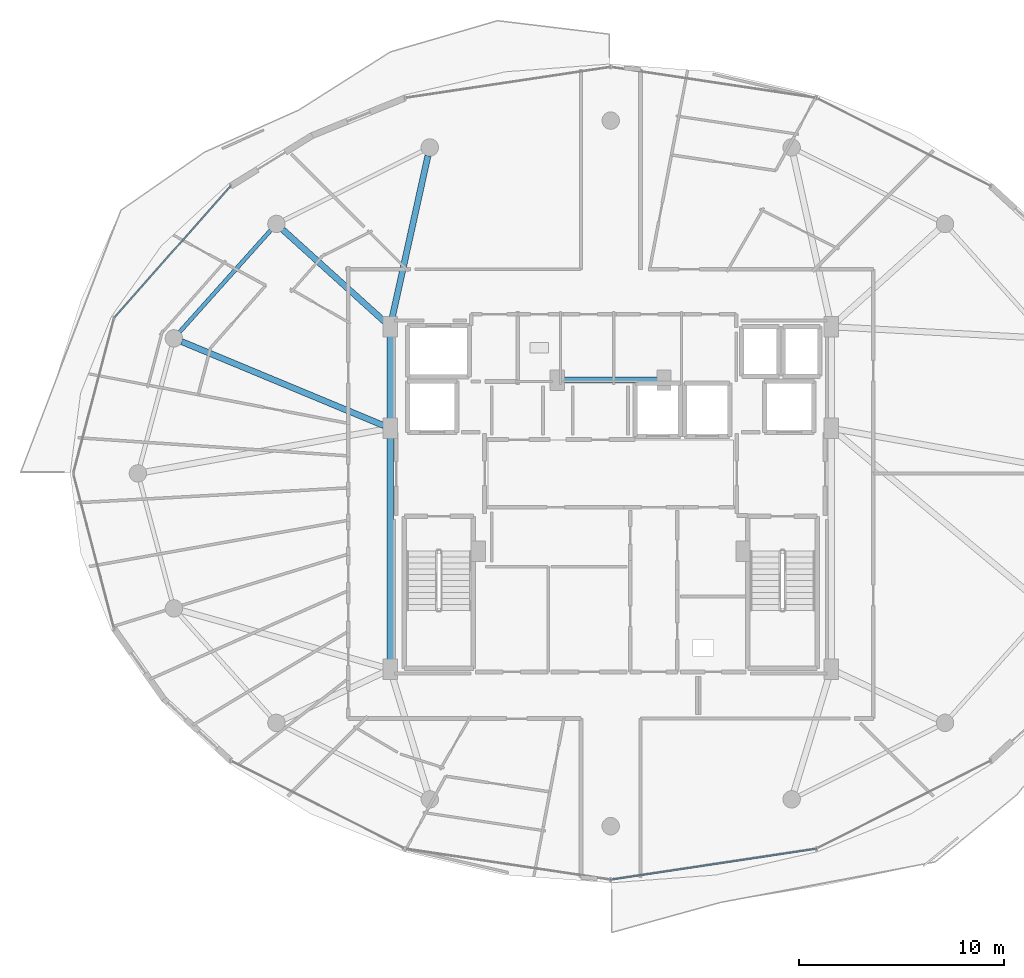
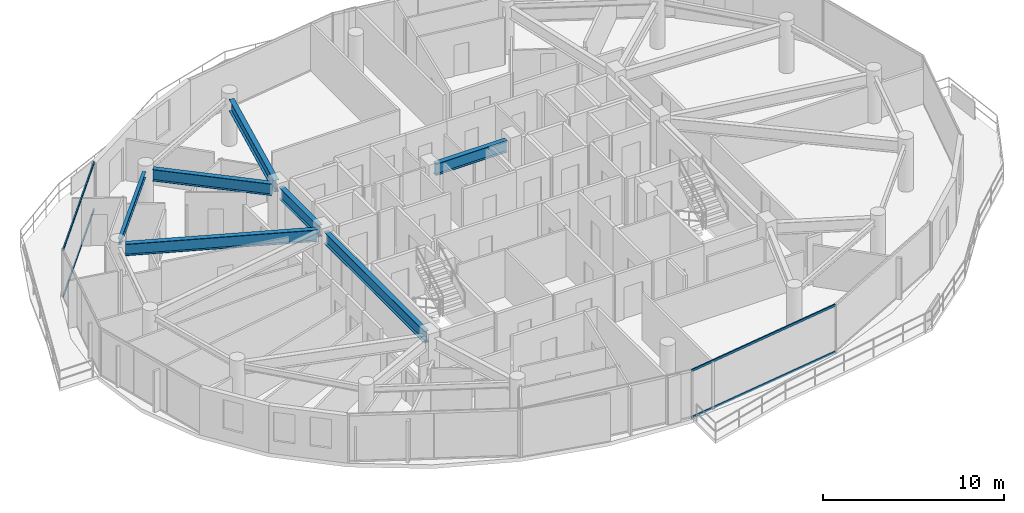
# One storey, part 7 of 25: 7 beams, 4 members, 2 elements without a shape of their own.
"""IFC4 building model written with IfcOpenShell, lengths in metres."""

from ifc_helpers import new_model, si_unit, direction, frame, origin, origin_2d, place, context, subcontext, project, spatial, hollow_rectangle, i_section, extrude, material, material_profile, profile_set, type_object, element, aggregate, save


model = new_model("IFC4")

# Units and contexts
model_context = context("Model", 3, precision=1e-05, world=origin(), true_north=direction((0.0, 1.0)))
body_context = subcontext(model_context, "Body", "Model", "MODEL_VIEW")
ifc_project = project(units=[si_unit("LENGTHUNIT", "METRE"), si_unit("AREAUNIT", "SQUARE_METRE"), si_unit("VOLUMEUNIT", "CUBIC_METRE"), si_unit("PLANEANGLEUNIT", "RADIAN"), si_unit("MASSUNIT", "GRAM", prefix="KILO")], contexts=[model_context])

# Site, building, storey
site_placement = place(None, origin())
site = spatial("IfcSite", under=ifc_project, at=site_placement, CompositionType="ELEMENT")
building_placement = place(site_placement, origin())
building = spatial("IfcBuilding", under=site, at=building_placement, Name="Vorneva Point Tower", CompositionType="ELEMENT")
storey_placement = place(building_placement, frame((0.0, 0.0, 276.85009765625)))
storey = spatial("IfcBuildingStorey", under=building, at=storey_placement, Name="L75", CompositionType="ELEMENT", Elevation=276.85009765625)

# Beams
ifc_material_1 = material(Name="Steel S355", Category="steel")
ifc_material_profile_1 = material_profile(ifc_material_1, i_section(OverallWidth=0.300048828125, OverallDepth=0.7880859375, WebThickness=0.014404296875, FlangeThickness=0.02197265625, at=origin_2d()), Name="80Sh1")
ifc_profile_set_1 = profile_set([ifc_material_profile_1], Name="Steel S355")
beam_type_1 = type_object("IfcBeamType", Name="BM-GRD-80Sh1", PredefinedType="USERDEFINED", material=ifc_profile_set_1)
beam_1_placement = place(storey_placement, frame((29.090087890625, 41.4873046875, 2.7958984375), z_axis=(-0.215520742957, -0.976499262342, 0.0), x_axis=(0.976499262342, -0.215520742957, 0.0)))
element("IfcBeam", 1, at=beam_1_placement, inside=storey, type_object=beam_type_1, Name="L75 Radial Primary Girder 06", ObjectType="GIRDER", PredefinedType="USERDEFINED", context=body_context, shape_type="SweptSolid", body=[
    extrude(i_section(OverallWidth=0.300048828125, OverallDepth=0.7880859375, WebThickness=0.014404296875, FlangeThickness=0.02197265625, at=origin_2d()), origin(), (0.0, 0.0, 1.0), 8.197998046875),
])
beam_2_placement = place(storey_placement, frame((22.0078125, 37.885498046875, 2.7958984375), z_axis=(0.7420671051, -0.670325601128, 0.0), x_axis=(0.670325601128, 0.7420671051, 0.0)))
element("IfcBeam", 2, at=beam_2_placement, inside=storey, type_object=beam_type_1, Name="L75 Radial Primary Girder 07", ObjectType="GIRDER", PredefinedType="USERDEFINED", context=body_context, shape_type="SweptSolid", body=[
    extrude(i_section(OverallWidth=0.300048828125, OverallDepth=0.7880859375, WebThickness=0.014404296875, FlangeThickness=0.02197265625, at=origin_2d()), origin(), (0.0, 0.0, 1.0), 6.724365234375),
])
beam_3_placement = place(storey_placement, frame((17.0859375, 32.423583984375, 2.7958984375), z_axis=(0.923448932068, -0.383721344027, 0.0), x_axis=(0.383721344027, 0.923448932068, 0.0)))
element("IfcBeam", 3, at=beam_3_placement, inside=storey, type_object=beam_type_1, Name="L75 Radial Primary Girder 08", ObjectType="GIRDER", PredefinedType="USERDEFINED", context=body_context, shape_type="SweptSolid", body=[
    extrude(i_section(OverallWidth=0.300048828125, OverallDepth=0.7880859375, WebThickness=0.014404296875, FlangeThickness=0.02197265625, at=origin_2d()), origin(), (0.0, 0.0, 1.0), 10.666748046875),
])
beam_4_placement = place(storey_placement, frame((27.25, 16.77001953125, 2.7958984375), z_axis=(0.0, 1.0, 0.0), x_axis=(-1.0, 0.0, 0.0)))
element("IfcBeam", 4, at=beam_4_placement, inside=storey, type_object=beam_type_1, Name="L75 Core Tie Girder CT1", ObjectType="GIRDER", PredefinedType="USERDEFINED", context=body_context, shape_type="SweptSolid", body=[
    extrude(i_section(OverallWidth=0.300048828125, OverallDepth=0.7880859375, WebThickness=0.014404296875, FlangeThickness=0.02197265625, at=origin_2d()), origin(), (0.0, 0.0, 1.0), 11.10986328125),
])
beam_5_placement = place(storey_placement, frame((27.25, 28.52001953125, 2.7958984375), z_axis=(0.0, 1.0, 0.0), x_axis=(-1.0, 0.0, 0.0)))
element("IfcBeam", 5, at=beam_5_placement, inside=storey, type_object=beam_type_1, Name="L75 Core Tie Girder CT2", ObjectType="GIRDER", PredefinedType="USERDEFINED", context=body_context, shape_type="SweptSolid", body=[
    extrude(i_section(OverallWidth=0.300048828125, OverallDepth=0.7880859375, WebThickness=0.014404296875, FlangeThickness=0.02197265625, at=origin_2d()), origin(), (0.0, 0.0, 1.0), 4.31005859375),
])
beam_6_placement = place(storey_placement, frame((35.719970703125, 30.550048828125, 2.7958984375), z_axis=(1.0, 0.0, 0.0), x_axis=(0.0, 1.0, 0.0)))
element("IfcBeam", 6, at=beam_6_placement, inside=storey, type_object=beam_type_1, Name="L75 Core Tie Girder CT8", ObjectType="GIRDER", PredefinedType="USERDEFINED", context=body_context, shape_type="SweptSolid", body=[
    extrude(i_section(OverallWidth=0.300048828125, OverallDepth=0.7880859375, WebThickness=0.014404296875, FlangeThickness=0.02197265625, at=origin_2d()), origin(), (0.0, 0.0, 1.0), 4.56005859375),
])
ifc_material_profile_2 = material_profile(ifc_material_1, i_section(OverallWidth=0.198974609375, OverallDepth=0.39599609375, WebThickness=0.007080078125, FlangeThickness=0.010986328125, at=origin_2d()), Name="40B1")
ifc_profile_set_2 = profile_set([ifc_material_profile_2], Name="Steel S355")
beam_type_2 = type_object("IfcBeamType", Name="BM-SPN-40B1", PredefinedType="SPANDREL", material=ifc_profile_set_2)
beam_7_placement = place(storey_placement, frame((21.427734375, 37.856689453125, 2.991943359375), z_axis=(-0.667108282638, -0.744960763554, 0.0), x_axis=(0.744960763554, -0.667108282638, 0.0)))
element("IfcBeam", 7, at=beam_7_placement, inside=storey, type_object=beam_type_2, Name="L75 Perimeter Spandrel Ring Beam 07", PredefinedType="SPANDREL", context=body_context, shape_type="SweptSolid", body=[
    extrude(i_section(OverallWidth=0.198974609375, OverallDepth=0.39599609375, WebThickness=0.007080078125, FlangeThickness=0.010986328125, at=origin_2d()), origin(), (0.0, 0.0, 1.0), 6.670166015625),
])

# Curtain wall, members
ifc_material_2 = material(Name="Pale anodised aluminium", Category="aluminium")
curtain_wall_type = type_object("IfcCurtainWallType", Name="CW-RES-SYS", PredefinedType="NOTDEFINED", material=ifc_material_2)
curtain_wall_1_placement = place(storey_placement, origin())
curtain_wall_1 = element("IfcCurtainWall", 8, at=curtain_wall_1_placement, inside=storey, type_object=curtain_wall_type, Name="L75 Unitised Curtain Wall CW-L75-R03", PredefinedType="NOTDEFINED")
ifc_material_profile_3 = material_profile(ifc_material_2, hollow_rectangle(XDim=0.074951171875, YDim=0.14990234375, WallThickness=0.00390625, at=origin_2d()), Name="AL-TRN 150x75x4")
ifc_profile_set_3 = profile_set([ifc_material_profile_3], Name="Pale anodised aluminium")
member_type = type_object("IfcMemberType", Name="CW-TRN-150", PredefinedType="USERDEFINED", material=ifc_profile_set_3)
member_1_placement = place(storey_placement, frame((19.473876953125, 40.0078125, 0.02001953125), z_axis=(-0.662196681357, -0.74933007093, 0.0), x_axis=(0.74933007093, -0.662196681357, 0.0)))
member_1 = element("IfcMember", 9, at=member_1_placement, type_object=member_type, Name="CW-L75-R03 Transom 01.1", ObjectType="TRANSOM", PredefinedType="USERDEFINED", context=body_context, shape_type="SweptSolid", body=[
    extrude(hollow_rectangle(XDim=0.074951171875, YDim=0.14990234375, WallThickness=0.00390625, at=origin_2d()), origin(), (0.0, 0.0, 1.0), 8.57666015625),
])
member_2_placement = place(storey_placement, frame((19.473876953125, 40.0078125, 3.169921875), z_axis=(-0.662196681357, -0.74933007093, 0.0), x_axis=(0.74933007093, -0.662196681357, 0.0)))
member_2 = element("IfcMember", 10, at=member_2_placement, type_object=member_type, Name="CW-L75-R03 Transom 01.2", ObjectType="TRANSOM", PredefinedType="USERDEFINED", context=body_context, shape_type="SweptSolid", body=[
    extrude(hollow_rectangle(XDim=0.074951171875, YDim=0.14990234375, WallThickness=0.00390625, at=origin_2d()), origin(), (0.0, 0.0, 1.0), 8.57666015625),
])
aggregate(curtain_wall_1, [member_1, member_2])

curtain_wall_2_placement = place(storey_placement, origin())
curtain_wall_2 = element("IfcCurtainWall", 11, at=curtain_wall_2_placement, inside=storey, type_object=curtain_wall_type, Name="L75 Unitised Curtain Wall CW-L75-R04", PredefinedType="NOTDEFINED")
member_3_placement = place(storey_placement, frame((38.0, 6.18994140625, 0.02001953125), z_axis=(0.988876929856, 0.148736066907, 0.0), x_axis=(-0.148736066907, 0.988876929856, 0.0)))
member_3 = element("IfcMember", 12, at=member_3_placement, type_object=member_type, Name="CW-L75-R04 Transom 03.1", ObjectType="TRANSOM", PredefinedType="USERDEFINED", context=body_context, shape_type="SweptSolid", body=[
    extrude(hollow_rectangle(XDim=0.074951171875, YDim=0.14990234375, WallThickness=0.00390625, at=origin_2d()), origin(), (0.0, 0.0, 1.0), 10.13916015625),
])
member_4_placement = place(storey_placement, frame((38.0, 6.18994140625, 3.169921875), z_axis=(0.988876929856, 0.148736066907, 0.0), x_axis=(-0.148736066907, 0.988876929856, 0.0)))
member_4 = element("IfcMember", 13, at=member_4_placement, type_object=member_type, Name="CW-L75-R04 Transom 03.2", ObjectType="TRANSOM", PredefinedType="USERDEFINED", context=body_context, shape_type="SweptSolid", body=[
    extrude(hollow_rectangle(XDim=0.074951171875, YDim=0.14990234375, WallThickness=0.00390625, at=origin_2d()), origin(), (0.0, 0.0, 1.0), 10.13916015625),
])
aggregate(curtain_wall_2, [member_3, member_4])

save(model, "model.ifc")
